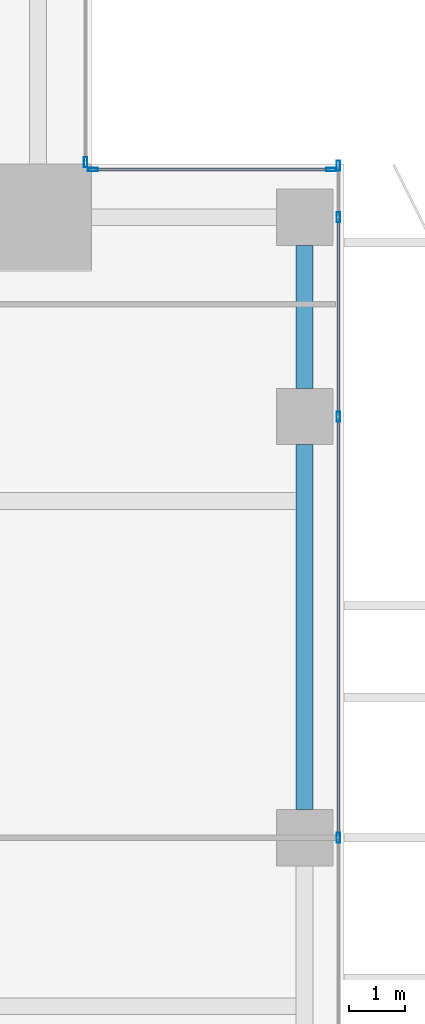
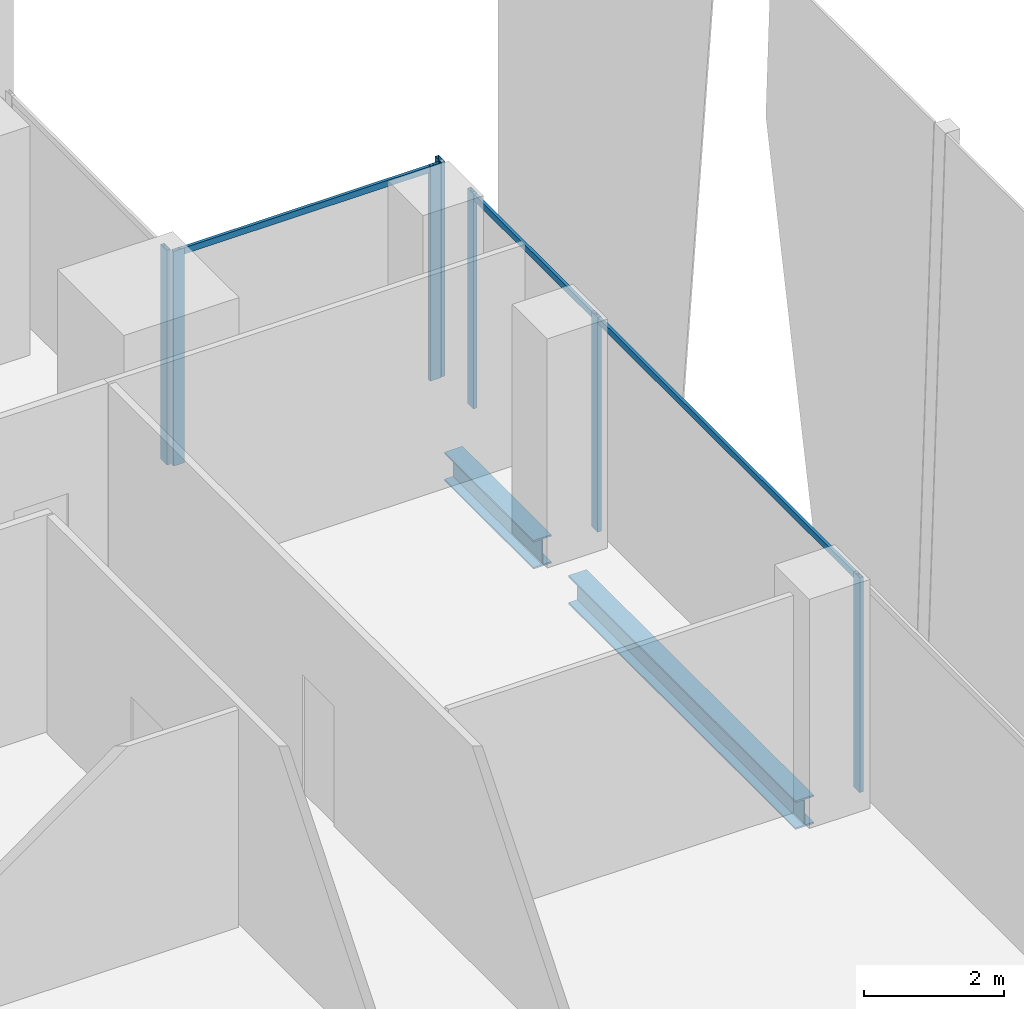
# One storey, part 19 of 35: 10 members, 2 beams, 3 elements without a shape of their own.
"""IFC4 building model written with IfcOpenShell, lengths in metres."""

from ifc_helpers import new_model, si_unit, direction, frame, origin, origin_2d, place, context, subcontext, project, spatial, hollow_rectangle, i_section, extrude, source, transform, mapped, material, material_profile, profile_set, type_object, element, aggregate, save


model = new_model("IFC4")

# Units and contexts
model_context = context("Model", 3, precision=1e-05, world=origin(), true_north=direction((0.0, 1.0)))
body_context = subcontext(model_context, "Body", "Model", "MODEL_VIEW")
ifc_project = project(units=[si_unit("LENGTHUNIT", "METRE"), si_unit("AREAUNIT", "SQUARE_METRE"), si_unit("VOLUMEUNIT", "CUBIC_METRE"), si_unit("PLANEANGLEUNIT", "RADIAN"), si_unit("MASSUNIT", "GRAM", prefix="KILO")], contexts=[model_context])

# Site, building, storey
site_placement = place(None, origin())
site = spatial("IfcSite", under=ifc_project, at=site_placement, CompositionType="ELEMENT")
building_placement = place(site_placement, origin())
building = spatial("IfcBuilding", under=site, at=building_placement, Name="Khomas Fold Tower", CompositionType="ELEMENT")
storey_placement = place(building_placement, frame((0.0, 0.0, 212.699951171875)))
storey = spatial("IfcBuildingStorey", under=building, at=storey_placement, Name="L47", CompositionType="ELEMENT", Elevation=212.699951171875)

# Beams
ifc_material_1 = material(Name="Steel S355", Category="steel")
ifc_material_profile_1 = material_profile(ifc_material_1, i_section(OverallWidth=0.300048828125, OverallDepth=0.5, WebThickness=0.014404296875, FlangeThickness=0.028076171875, at=origin_2d()), Name="HE 500 B")
ifc_profile_set_1 = profile_set([ifc_material_profile_1], Name="Steel S355")
beam_type = type_object("IfcBeamType", Name="HE 500 B spandrel SB3", PredefinedType="SPANDREL", material=ifc_profile_set_1)
shared_shape_1 = source(origin(), body_context, "Body", "SweptSolid", [
    extrude(i_section(OverallWidth=0.300048828125, OverallDepth=0.5, WebThickness=0.014404296875, FlangeThickness=0.028076171875, at=origin_2d()), origin(), (0.0, 0.0, 1.0), 2.550048828125),
])
beam_1_placement = place(storey_placement, frame((50.300048828125, 42.5, -0.5), z_axis=(0.0, 1.0, 0.0), x_axis=(-1.0, 0.0, 0.0)))
element("IfcBeam", 1, at=beam_1_placement, inside=storey, type_object=beam_type, Name="SB3", PredefinedType="SPANDREL", context=body_context, shape_type="MappedRepresentation", body=[
    mapped(shared_shape_1, transform((0.0, 0.0, 0.0))),
])
shared_shape_2 = source(origin(), body_context, "Body", "SweptSolid", [
    extrude(i_section(OverallWidth=0.300048828125, OverallDepth=0.5, WebThickness=0.014404296875, FlangeThickness=0.028076171875, at=origin_2d()), origin(), (0.0, 0.0, 1.0), 6.5),
])
beam_2_placement = place(storey_placement, frame((50.300048828125, 35.0, -0.5), z_axis=(0.0, 1.0, 0.0), x_axis=(-1.0, 0.0, 0.0)))
element("IfcBeam", 2, at=beam_2_placement, inside=storey, type_object=beam_type, Name="SB3", PredefinedType="SPANDREL", context=body_context, shape_type="MappedRepresentation", body=[
    mapped(shared_shape_2, transform((0.0, 0.0, 0.0))),
])

# Curtain wall, members
ifc_material_2 = material(Name="Aluminium framed double glazing", Category="aluminium")
curtain_wall_type = type_object("IfcCurtainWallType", Name="SK-Unitised clear-glass wall, office floors CW2", PredefinedType="NOTDEFINED", material=ifc_material_2)
curtain_wall_1_placement = place(storey_placement, origin())
curtain_wall_1 = element("IfcCurtainWall", 3, at=curtain_wall_1_placement, inside=storey, type_object=curtain_wall_type, Name="CW2 run L47 03-0", PredefinedType="NOTDEFINED")
ifc_material_3 = material(Name="Aluminium", Category="aluminium")
ifc_material_profile_2 = material_profile(ifc_material_3, hollow_rectangle(XDim=0.06005859375, YDim=0.179931640625, WallThickness=0.00390625, at=origin_2d()), Name="SK-Unitised clear-glass wall, office floors mullion CW2-M")
ifc_profile_set_2 = profile_set([ifc_material_profile_2], Name="Aluminium")
member_type_1 = type_object("IfcMemberType", Name="SK-Unitised clear-glass wall, office floors mullion CW2-M", PredefinedType="MULLION", material=ifc_profile_set_2)
shared_shape_3 = source(origin(), body_context, "Body", "SweptSolid", [
    extrude(hollow_rectangle(XDim=0.06005859375, YDim=0.179931640625, WallThickness=0.00390625, at=origin_2d()), origin(), (0.0, 0.0, 1.0), 3.75),
])
member_1_placement = place(storey_placement, frame((50.89990234375, 34.5, 0.0), z_axis=(0.0, 0.0, 1.0), x_axis=(-1.0, 0.0, 0.0)))
member_1 = element("IfcMember", 4, at=member_1_placement, type_object=member_type_1, Name="CW2 mullion 6", PredefinedType="MULLION", context=body_context, shape_type="MappedRepresentation", body=[
    mapped(shared_shape_3, transform((0.0, 0.0, 0.0))),
])
member_2_placement = place(storey_placement, frame((50.89990234375, 42.0, 0.0), z_axis=(0.0, 0.0, 1.0), x_axis=(-1.0, 0.0, 0.0)))
member_2 = element("IfcMember", 5, at=member_2_placement, type_object=member_type_1, Name="CW2 mullion 7", PredefinedType="MULLION", context=body_context, shape_type="MappedRepresentation", body=[
    mapped(shared_shape_3, transform((0.0, 0.0, 0.0))),
])
member_3_placement = place(storey_placement, frame((50.89990234375, 45.550048828125, 0.0), z_axis=(0.0, 0.0, 1.0), x_axis=(-1.0, 0.0, 0.0)))
member_3 = element("IfcMember", 6, at=member_3_placement, type_object=member_type_1, Name="CW2 mullion 8", PredefinedType="MULLION", context=body_context, shape_type="MappedRepresentation", body=[
    mapped(shared_shape_3, transform((0.0, 0.0, 0.0))),
])
member_4_placement = place(storey_placement, frame((50.89990234375, 46.469970703125, 0.0), z_axis=(0.0, 0.0, 1.0), x_axis=(-1.0, 0.0, 0.0)))
member_4 = element("IfcMember", 7, at=member_4_placement, type_object=member_type_1, Name="CW2 mullion 9", PredefinedType="MULLION", context=body_context, shape_type="MappedRepresentation", body=[
    mapped(shared_shape_3, transform((0.0, 0.0, 0.0))),
])

curtain_wall_2_placement = place(storey_placement, origin())
curtain_wall_2 = element("IfcCurtainWall", 8, at=curtain_wall_2_placement, inside=storey, type_object=curtain_wall_type, Name="CW2 corner return L47 04", PredefinedType="NOTDEFINED")
member_5_placement = place(storey_placement, frame((50.77001953125, 46.39990234375, 0.0), z_axis=(0.0, 0.0, 1.0), x_axis=(0.0, -1.0, 0.0)))
member_5 = element("IfcMember", 9, at=member_5_placement, type_object=member_type_1, Name="CW2 mullion 1", PredefinedType="MULLION", context=body_context, shape_type="MappedRepresentation", body=[
    mapped(shared_shape_3, transform((0.0, 0.0, 0.0))),
])
member_6_placement = place(storey_placement, frame((46.530029296875, 46.39990234375, 0.0), z_axis=(0.0, 0.0, 1.0), x_axis=(0.0, -1.0, 0.0)))
member_6 = element("IfcMember", 10, at=member_6_placement, type_object=member_type_1, Name="CW2 mullion 2", PredefinedType="MULLION", context=body_context, shape_type="MappedRepresentation", body=[
    mapped(shared_shape_3, transform((0.0, 0.0, 0.0))),
])

# Curtain wall, member
curtain_wall_3_placement = place(storey_placement, origin())
curtain_wall_3 = element("IfcCurtainWall", 11, at=curtain_wall_3_placement, inside=storey, type_object=curtain_wall_type, Name="CW2 corner return L47 05", PredefinedType="NOTDEFINED")
member_7_placement = place(storey_placement, frame((46.39990234375, 46.530029296875, 0.0), z_axis=(0.0, 0.0, 1.0), x_axis=(-1.0, 0.0, 0.0)))
member_7 = element("IfcMember", 12, at=member_7_placement, type_object=member_type_1, Name="CW2 mullion 1", PredefinedType="MULLION", context=body_context, shape_type="MappedRepresentation", body=[
    mapped(shared_shape_3, transform((0.0, 0.0, 0.0))),
])
aggregate(curtain_wall_3, [member_7])

# Member
ifc_material_4 = material(Name="Aluminium", Category="aluminium")
ifc_material_profile_3 = material_profile(ifc_material_4, hollow_rectangle(XDim=0.050048828125, YDim=0.110107421875, WallThickness=0.00390625, at=origin_2d()), Name="SK-Unitised clear-glass wall, office floors transom CW2-T")
ifc_profile_set_3 = profile_set([ifc_material_profile_3], Name="Aluminium")
member_type_2 = type_object("IfcMemberType", Name="SK-Unitised clear-glass wall, office floors transom CW2-T", PredefinedType="USERDEFINED", material=ifc_profile_set_3)
shared_shape_4 = source(origin(), body_context, "Body", "SweptSolid", [
    extrude(hollow_rectangle(XDim=0.050048828125, YDim=0.110107421875, WallThickness=0.00390625, at=origin_2d()), origin(), (0.0, 0.0, 1.0), 3.489990234375),
])
member_8_placement = place(storey_placement, frame((50.89990234375, 42.030029296875, 3.695068359375), z_axis=(0.0, 1.0, 0.0), x_axis=(-1.0, 0.0, 0.0)))
member_8 = element("IfcMember", 13, at=member_8_placement, type_object=member_type_2, Name="CW2 transom 7", ObjectType="TRANSOM", PredefinedType="USERDEFINED", context=body_context, shape_type="MappedRepresentation", body=[
    mapped(shared_shape_4, transform((0.0, 0.0, 0.0))),
])

shared_shape_5 = source(origin(), body_context, "Body", "SweptSolid", [
    extrude(hollow_rectangle(XDim=0.050048828125, YDim=0.110107421875, WallThickness=0.00390625, at=origin_2d()), origin(), (0.0, 0.0, 1.0), 7.43994140625),
])
member_9_placement = place(storey_placement, frame((50.89990234375, 34.530029296875, 3.695068359375), z_axis=(0.0, 1.0, 0.0), x_axis=(-1.0, 0.0, 0.0)))
member_9 = element("IfcMember", 14, at=member_9_placement, type_object=member_type_2, Name="CW2 transom 6", ObjectType="TRANSOM", PredefinedType="USERDEFINED", context=body_context, shape_type="MappedRepresentation", body=[
    mapped(shared_shape_5, transform((0.0, 0.0, 0.0))),
])

aggregate(curtain_wall_1, [member_1, member_2, member_3, member_4, member_9, member_8])

shared_shape_6 = source(origin(), body_context, "Body", "SweptSolid", [
    extrude(hollow_rectangle(XDim=0.050048828125, YDim=0.110107421875, WallThickness=0.00390625, at=origin_2d()), origin(), (0.0, 0.0, 1.0), 4.179931640625),
])
member_10_placement = place(storey_placement, frame((50.739990234375, 46.39990234375, 3.695068359375), z_axis=(-1.0, 0.0, 0.0), x_axis=(0.0, -1.0, 0.0)))
member_10 = element("IfcMember", 15, at=member_10_placement, type_object=member_type_2, Name="CW2 transom 1", ObjectType="TRANSOM", PredefinedType="USERDEFINED", context=body_context, shape_type="MappedRepresentation", body=[
    mapped(shared_shape_6, transform((0.0, 0.0, 0.0))),
])

aggregate(curtain_wall_2, [member_5, member_6, member_10])

save(model, "model.ifc")
